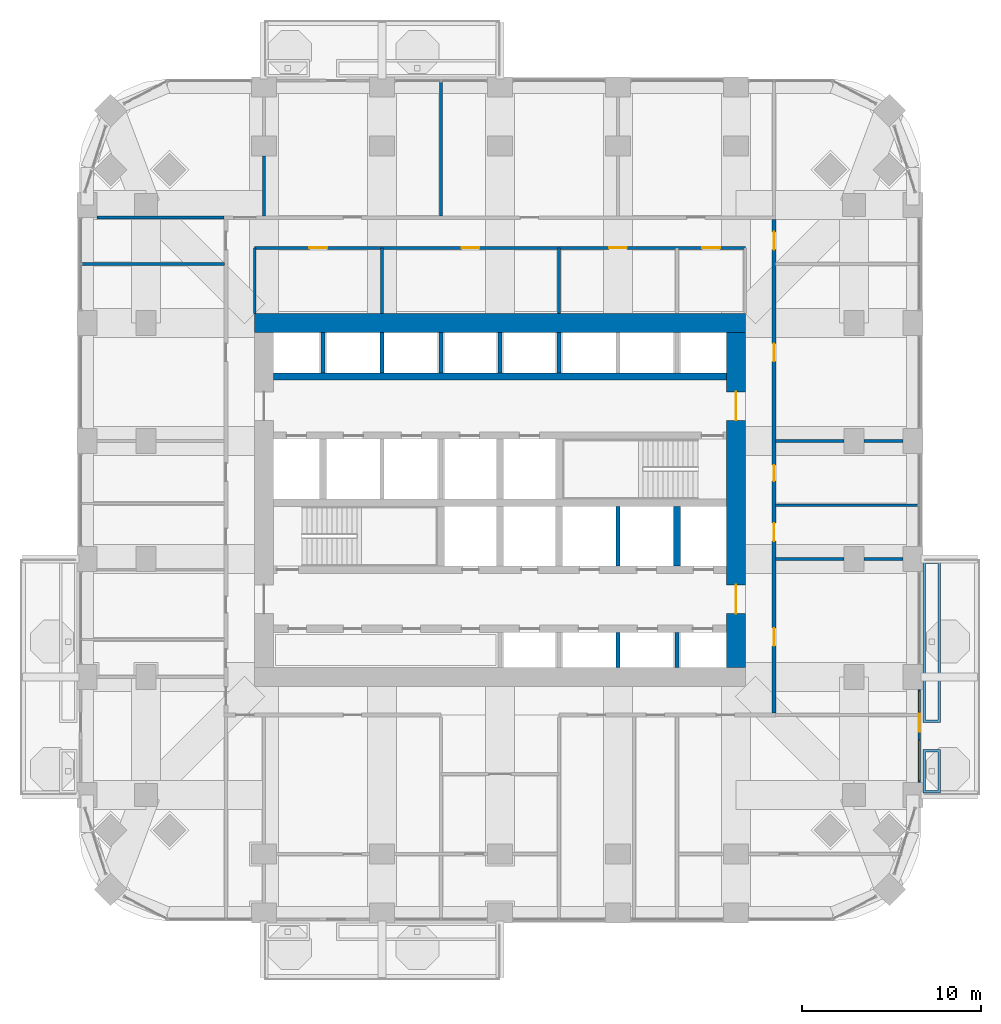
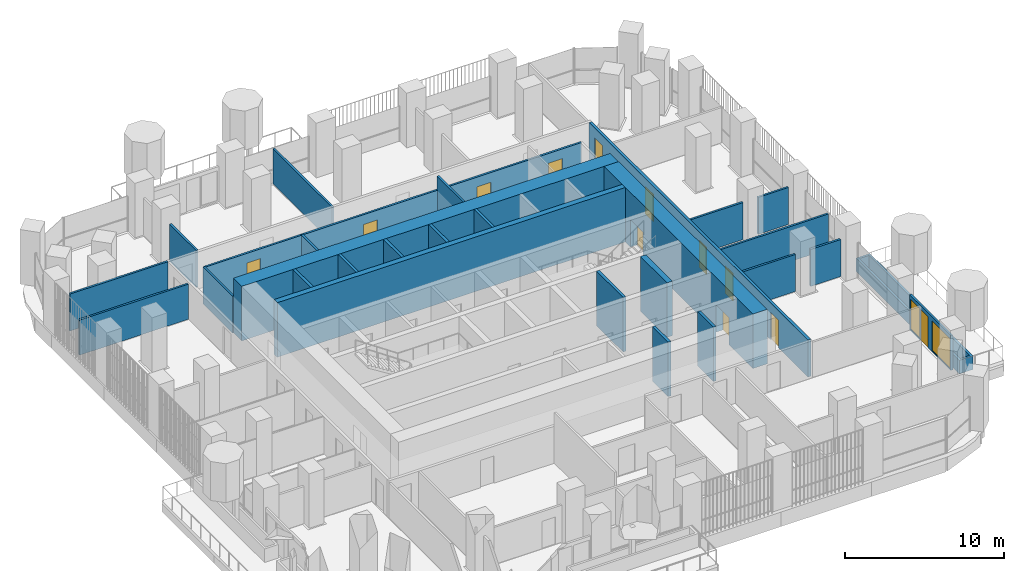
# One storey, part 15 of 21: 29 walls, 12 doors, 2 windows, 14 openings.
"""IFC4 building model written with IfcOpenShell, lengths in metres."""

from ifc_helpers import new_model, si_unit, direction, frame, frame_2d, origin, place, context, subcontext, project, spatial, polyline, rectangle, outline, extrude, material, layer, layer_set, type_object, element, fill, save


model = new_model("IFC4")

# Units and contexts
model_context = context("Model", 3, precision=1e-05, world=origin(), true_north=direction((0.0, 1.0)))
body_context = subcontext(model_context, "Body", "Model", "MODEL_VIEW")
ifc_project = project(units=[si_unit("LENGTHUNIT", "METRE"), si_unit("AREAUNIT", "SQUARE_METRE"), si_unit("VOLUMEUNIT", "CUBIC_METRE"), si_unit("PLANEANGLEUNIT", "RADIAN"), si_unit("MASSUNIT", "GRAM", prefix="KILO")], contexts=[model_context])

# Site, building, storey
site_placement = place(None, origin())
site = spatial("IfcSite", under=ifc_project, at=site_placement, CompositionType="ELEMENT")
building_placement = place(site_placement, origin())
building = spatial("IfcBuilding", under=site, at=building_placement, Name="Cobogo Forest Laboratory Tower", CompositionType="ELEMENT")
storey_placement = place(building_placement, frame((0.0, 0.0, 132.60009765625)))
storey = spatial("IfcBuildingStorey", under=building, at=storey_placement, Name="L30", CompositionType="ELEMENT", Elevation=132.60009765625)

# Walls
ifc_material_1 = material(Name="Concrete HA-50 (C50/60)", Category="concrete")
ifc_layer_1 = layer(ifc_material_1, 0.39990234375)
ifc_layer_set_1 = layer_set([ifc_layer_1], Name="CI400 core inner wall 400")
wall_type_1 = type_object("IfcWallType", Name="CI400 core inner wall 400", PredefinedType="SHEAR", material=ifc_layer_set_1)
wall_1_placement = place(storey_placement, frame((13.72509765625, 30.0, 0.0), z_axis=(0.0, 0.0, 1.0), x_axis=(1.0, 0.0, 0.0)))
element("IfcWall", 1, at=wall_1_placement, inside=storey, type_object=wall_type_1, Name="Core wall CI-30.0 L30", PredefinedType="SHEAR", context=body_context, shape_type="SweptSolid", body=[
    extrude(rectangle(XDim=25.349853515625, YDim=0.39990234375, at=frame_2d((12.6748046875, 0.0))), origin(), (0.0, 0.0, 1.0), 4.199951171875),
])
wall_2_placement = place(storey_placement, frame((36.300048828125, 19.39990234375, 0.0), z_axis=(0.0, 0.0, 1.0), x_axis=(0.0, 1.0, 0.0)))
element("IfcWall", 2, at=wall_2_placement, inside=storey, type_object=wall_type_1, Name="Core wall CX-36.3 L30", PredefinedType="SHEAR", context=body_context, shape_type="SweptSolid", body=[
    extrude(rectangle(XDim=3.35009765625, YDim=0.39990234375, at=frame_2d((1.675048828125, 0.0))), origin(), (0.0, 0.0, 1.0), 4.199951171875),
])

# Wall, openings, doors
ifc_layer_2 = layer(ifc_material_1, 1.050048828125)
ifc_layer_set_2 = layer_set([ifc_layer_2], Name="CW1050 core outer wall 1050")
wall_type_2 = type_object("IfcWallType", Name="CW1050 core outer wall 1050", PredefinedType="SHEAR", material=ifc_layer_set_2)
wall_3_placement = place(storey_placement, frame((39.60009765625, 13.72509765625, 0.0), z_axis=(0.0, 0.0, 1.0), x_axis=(0.0, 1.0, 0.0)))
wall_3 = element("IfcWall", 3, at=wall_3_placement, inside=storey, type_object=wall_type_2, Name="Core wall CO-E L30", PredefinedType="SHEAR", context=body_context, shape_type="SweptSolid", body=[
    extrude(rectangle(XDim=18.75, YDim=1.050048828125, at=frame_2d((9.375, 0.0))), origin(), (0.0, 0.0, 1.0), 4.199951171875),
])
opening_1_placement = place(wall_3_placement, frame((3.02490234375, 0.0, 0.0)))
opening_1 = element("IfcOpeningElement", 4, at=opening_1_placement, cuts=wall_3, Name="Opening L30-D22", PredefinedType="OPENING", context=body_context, shape_type="SweptSolid", body=[
    extrude(rectangle(XDim=1.60009765625, YDim=2.10009765625, at=frame_2d((0.800048828125, 1.050048828125))), frame((0.0, 0.534912109375, 0.0), z_axis=(0.0, -1.0, 0.0), x_axis=(1.0, 0.0, 0.0)), (0.0, 0.0, 1.0), 1.070068359375),
])
opening_2_placement = place(wall_3_placement, frame((13.824951171875, 0.0, 0.0)))
opening_2 = element("IfcOpeningElement", 5, at=opening_2_placement, cuts=wall_3, Name="Opening L30-D32", PredefinedType="OPENING", context=body_context, shape_type="SweptSolid", body=[
    extrude(rectangle(XDim=1.60009765625, YDim=2.10009765625, at=frame_2d((0.800048828125, 1.050048828125))), frame((0.0, 0.534912109375, 0.0), z_axis=(0.0, -1.0, 0.0), x_axis=(1.0, 0.0, 0.0)), (0.0, 0.0, 1.0), 1.070068359375),
])
ifc_material_2 = material(Name="Steel fire door", Category="steel")
door_type_1 = type_object("IfcDoorType", Name="DS2 protected lobby door pair 1600 EI2 60", OperationType="DOUBLE_DOOR_DOUBLE_SWING", PredefinedType="DOOR", material=ifc_material_2)
door_1_placement = place(opening_1_placement, origin())
door_1 = element("IfcDoor", 6, at=door_1_placement, inside=storey, type_object=door_type_1, Name="Door L30-CO-E-S", OperationType="DOUBLE_DOOR_DOUBLE_SWING", OverallHeight=2.10009765625, OverallWidth=1.60009765625, PredefinedType="DOOR", context=body_context, shape_type="SweptSolid", body=[
    extrude(rectangle(XDim=1.60009765625, YDim=2.10009765625, at=frame_2d((0.800048828125, 1.050048828125))), frame((0.0, 0.02490234375, 0.0), z_axis=(0.0, -1.0, 0.0), x_axis=(1.0, 0.0, 0.0)), (0.0, 0.0, 1.0), 0.050048828125),
])
fill(opening_1, door_1)
door_2_placement = place(opening_2_placement, origin())
door_2 = element("IfcDoor", 7, at=door_2_placement, inside=storey, type_object=door_type_1, Name="Door L30-CO-E-N", OperationType="DOUBLE_DOOR_DOUBLE_SWING", OverallHeight=2.10009765625, OverallWidth=1.60009765625, PredefinedType="DOOR", context=body_context, shape_type="SweptSolid", body=[
    extrude(rectangle(XDim=1.60009765625, YDim=2.10009765625, at=frame_2d((0.800048828125, 1.050048828125))), frame((0.0, 0.02490234375, 0.0), z_axis=(0.0, -1.0, 0.0), x_axis=(1.0, 0.0, 0.0)), (0.0, 0.0, 1.0), 0.050048828125),
])
fill(opening_2, door_2)

# Wall
wall_4_placement = place(storey_placement, frame((40.125, 33.0, 0.0), z_axis=(0.0, 0.0, 1.0), x_axis=(-1.0, 0.0, 0.0)))
element("IfcWall", 8, at=wall_4_placement, inside=storey, type_object=wall_type_2, Name="Core wall CO-N L30", PredefinedType="SHEAR", context=body_context, shape_type="SweptSolid", body=[
    extrude(rectangle(XDim=27.449951171875, YDim=1.050048828125, at=frame_2d((13.72509765625, 0.0))), origin(), (0.0, 0.0, 1.0), 4.199951171875),
])

# Wall, openings, door, windows
ifc_material_3 = material(Name="Aluminium framed glazed screen", Category="aluminium")
ifc_layer_3 = layer(ifc_material_3, 0.14990234375)
ifc_layer_set_3 = layer_set([ifc_layer_3], Name="GS1 glazed door screen 150")
wall_type_3 = type_object("IfcWallType", Name="GS1 glazed door screen 150", PredefinedType="SOLIDWALL", material=ifc_layer_set_3)
wall_5_placement = place(storey_placement, frame((49.85009765625, 7.300048828125, 0.0), z_axis=(0.0, 0.0, 1.0), x_axis=(0.0, 1.0, 0.0)))
wall_5 = element("IfcWall", 9, at=wall_5_placement, inside=storey, type_object=wall_type_3, Name="Door screen BAL-E1 L30", PredefinedType="SOLIDWALL", context=body_context, shape_type="SweptSolid", body=[
    extrude(rectangle(XDim=5.199951171875, YDim=0.14990234375, at=frame_2d((2.60009765625, 0.0))), origin(), (0.0, 0.0, 1.0), 2.699951171875),
])
opening_3_placement = place(wall_5_placement, frame((2.85009765625, 0.0, 0.0)))
opening_3 = element("IfcOpeningElement", 10, at=opening_3_placement, cuts=wall_5, Name="Opening L30-D07", PredefinedType="OPENING", context=body_context, shape_type="SweptSolid", body=[
    extrude(rectangle(XDim=1.0, YDim=2.39990234375, at=frame_2d((0.5, 1.199951171875))), frame((0.0, 0.0849609375, 0.0), z_axis=(0.0, -1.0, 0.0), x_axis=(1.0, 0.0, 0.0)), (0.0, 0.0, 1.0), 0.169921875),
])
opening_4_placement = place(wall_5_placement, frame((0.10009765625, 0.0, 0.10009765625)))
opening_4 = element("IfcOpeningElement", 11, at=opening_4_placement, cuts=wall_5, Name="Opening L30-W04", PredefinedType="OPENING", context=body_context, shape_type="SweptSolid", body=[
    extrude(rectangle(XDim=2.25, YDim=2.300048828125, at=frame_2d((1.125, 1.14990234375))), frame((0.0, 0.0849609375, 0.0), z_axis=(0.0, -1.0, 0.0), x_axis=(1.0, 0.0, 0.0)), (0.0, 0.0, 1.0), 0.169921875),
])
opening_5_placement = place(wall_5_placement, frame((3.949951171875, 0.0, 0.10009765625)))
opening_5 = element("IfcOpeningElement", 12, at=opening_5_placement, cuts=wall_5, Name="Opening L30-W06", PredefinedType="OPENING", context=body_context, shape_type="SweptSolid", body=[
    extrude(rectangle(XDim=1.14990234375, YDim=2.300048828125, at=frame_2d((0.574951171875, 1.14990234375))), frame((0.0, 0.0849609375, 0.0), z_axis=(0.0, -1.0, 0.0), x_axis=(1.0, 0.0, 0.0)), (0.0, 0.0, 1.0), 0.169921875),
])
ifc_material_4 = material(Name="Aluminium glazed door", Category="aluminium")
door_type_2 = type_object("IfcDoorType", Name="DB1 balcony door 1000 glazed", OperationType="SINGLE_SWING_LEFT", PredefinedType="DOOR", material=ifc_material_4)
door_3_placement = place(opening_3_placement, origin())
door_3 = element("IfcDoor", 13, at=door_3_placement, inside=storey, type_object=door_type_2, Name="Door L30-BAL-E1", OperationType="SINGLE_SWING_RIGHT", OverallHeight=2.39990234375, OverallWidth=1.0, PredefinedType="DOOR", context=body_context, shape_type="SweptSolid", body=[
    extrude(rectangle(XDim=1.0, YDim=2.39990234375, at=frame_2d((0.5, 1.199951171875))), frame((0.0, 0.02490234375, 0.0), z_axis=(0.0, -1.0, 0.0), x_axis=(1.0, 0.0, 0.0)), (0.0, 0.0, 1.0), 0.050048828125),
])
fill(opening_3, door_3)
ifc_material_5 = material(Name="Aluminium framed glazing", Category="aluminium")
window_type_1 = type_object("IfcWindowType", Name="WG15 fixed glazed light 2250x2300", PartitioningType="SINGLE_PANEL", PredefinedType="WINDOW", material=ifc_material_5)
window_1_placement = place(opening_4_placement, origin())
window_1 = element("IfcWindow", 14, at=window_1_placement, inside=storey, type_object=window_type_1, Name="Window L30-BAL-E1-1", OverallHeight=2.300048828125, OverallWidth=2.25, PartitioningType="SINGLE_PANEL", PredefinedType="WINDOW", context=body_context, shape_type="SweptSolid", body=[
    extrude(rectangle(XDim=2.25, YDim=2.300048828125, at=frame_2d((1.125, 1.14990234375))), frame((0.0, 0.030029296875, 0.0), z_axis=(0.0, -1.0, 0.0), x_axis=(1.0, 0.0, 0.0)), (0.0, 0.0, 1.0), 0.06005859375),
])
fill(opening_4, window_1)
window_type_2 = type_object("IfcWindowType", Name="WG16 fixed glazed light 1150x2300", PartitioningType="SINGLE_PANEL", PredefinedType="WINDOW", material=ifc_material_5)
window_2_placement = place(opening_5_placement, origin())
window_2 = element("IfcWindow", 15, at=window_2_placement, inside=storey, type_object=window_type_2, Name="Window L30-BAL-E1-2", OverallHeight=2.300048828125, OverallWidth=1.14990234375, PartitioningType="SINGLE_PANEL", PredefinedType="WINDOW", context=body_context, shape_type="SweptSolid", body=[
    extrude(rectangle(XDim=1.14990234375, YDim=2.300048828125, at=frame_2d((0.574951171875, 1.14990234375))), frame((0.0, 0.030029296875, 0.0), z_axis=(0.0, -1.0, 0.0), x_axis=(1.0, 0.0, 0.0)), (0.0, 0.0, 1.0), 0.06005859375),
])
fill(opening_5, window_2)

# Wall, openings, doors
ifc_material_6 = material(Name="Gypsum board on steel studs", Category="steel")
ifc_layer_4 = layer(ifc_material_6, 0.14990234375)
ifc_layer_set_4 = layer_set([ifc_layer_4], Name="PT1 laboratory partition 150")
wall_type_4 = type_object("IfcWallType", Name="PT1 laboratory partition 150", PredefinedType="PARTITIONING", material=ifc_layer_set_4)
wall_6_placement = place(storey_placement, frame((12.675048828125, 37.199951171875, 0.0), z_axis=(0.0, 0.0, 1.0), x_axis=(1.0, 0.0, 0.0)))
wall_6 = element("IfcWall", 16, at=wall_6_placement, inside=storey, type_object=wall_type_4, Name="Partition CSTRIP-N L30", PredefinedType="PARTITIONING", context=body_context, shape_type="SweptSolid", body=[
    extrude(rectangle(XDim=27.449951171875, YDim=0.14990234375, at=frame_2d((13.72509765625, 0.0))), origin(), (0.0, 0.0, 1.0), 2.849853515625),
])
opening_6_placement = place(wall_6_placement, frame((3.0625, 0.0, 0.0)))
opening_6 = element("IfcOpeningElement", 17, at=opening_6_placement, cuts=wall_6, Name="Opening L30-D35", PredefinedType="OPENING", context=body_context, shape_type="SweptSolid", body=[
    extrude(rectangle(XDim=1.0, YDim=2.10009765625, at=frame_2d((0.5, 1.050048828125))), frame((0.0, 0.0849609375, 0.0), z_axis=(0.0, -1.0, 0.0), x_axis=(1.0, 0.0, 0.0)), (0.0, 0.0, 1.0), 0.169921875),
])
opening_7_placement = place(wall_6_placement, frame((11.574951171875, 0.0, 0.0)))
opening_7 = element("IfcOpeningElement", 18, at=opening_7_placement, cuts=wall_6, Name="Opening L30-D36", PredefinedType="OPENING", context=body_context, shape_type="SweptSolid", body=[
    extrude(rectangle(XDim=1.0, YDim=2.10009765625, at=frame_2d((0.5, 1.050048828125))), frame((0.0, 0.0849609375, 0.0), z_axis=(0.0, -1.0, 0.0), x_axis=(1.0, 0.0, 0.0)), (0.0, 0.0, 1.0), 0.169921875),
])
opening_8_placement = place(wall_6_placement, frame((19.824951171875, 0.0, 0.0)))
opening_8 = element("IfcOpeningElement", 19, at=opening_8_placement, cuts=wall_6, Name="Opening L30-D37", PredefinedType="OPENING", context=body_context, shape_type="SweptSolid", body=[
    extrude(rectangle(XDim=1.0, YDim=2.10009765625, at=frame_2d((0.5, 1.050048828125))), frame((0.0, 0.0849609375, 0.0), z_axis=(0.0, -1.0, 0.0), x_axis=(1.0, 0.0, 0.0)), (0.0, 0.0, 1.0), 0.169921875),
])
opening_9_placement = place(wall_6_placement, frame((25.03759765625, 0.0, 0.0)))
opening_9 = element("IfcOpeningElement", 20, at=opening_9_placement, cuts=wall_6, Name="Opening L30-D38", PredefinedType="OPENING", context=body_context, shape_type="SweptSolid", body=[
    extrude(rectangle(XDim=1.0, YDim=2.10009765625, at=frame_2d((0.5, 1.050048828125))), frame((0.0, 0.0849609375, 0.0), z_axis=(0.0, -1.0, 0.0), x_axis=(1.0, 0.0, 0.0)), (0.0, 0.0, 1.0), 0.169921875),
])
ifc_material_7 = material(Name="Timber fire door", Category="wood")
door_type_3 = type_object("IfcDoorType", Name="FD2 fire door 1000 EI2 30", OperationType="SINGLE_SWING_LEFT", PredefinedType="DOOR", material=ifc_material_7)
door_4_placement = place(opening_6_placement, origin())
door_4 = element("IfcDoor", 21, at=door_4_placement, inside=storey, type_object=door_type_3, Name="Door L30-CSN1", OperationType="SINGLE_SWING_LEFT", OverallHeight=2.10009765625, OverallWidth=1.0, PredefinedType="DOOR", context=body_context, shape_type="SweptSolid", body=[
    extrude(rectangle(XDim=1.0, YDim=2.10009765625, at=frame_2d((0.5, 1.050048828125))), frame((0.0, 0.02490234375, 0.0), z_axis=(0.0, -1.0, 0.0), x_axis=(1.0, 0.0, 0.0)), (0.0, 0.0, 1.0), 0.050048828125),
])
fill(opening_6, door_4)
door_5_placement = place(opening_7_placement, origin())
door_5 = element("IfcDoor", 22, at=door_5_placement, inside=storey, type_object=door_type_3, Name="Door L30-CSN2", OperationType="SINGLE_SWING_LEFT", OverallHeight=2.10009765625, OverallWidth=1.0, PredefinedType="DOOR", context=body_context, shape_type="SweptSolid", body=[
    extrude(rectangle(XDim=1.0, YDim=2.10009765625, at=frame_2d((0.5, 1.050048828125))), frame((0.0, 0.02490234375, 0.0), z_axis=(0.0, -1.0, 0.0), x_axis=(1.0, 0.0, 0.0)), (0.0, 0.0, 1.0), 0.050048828125),
])
fill(opening_7, door_5)
door_6_placement = place(opening_8_placement, origin())
door_6 = element("IfcDoor", 23, at=door_6_placement, inside=storey, type_object=door_type_3, Name="Door L30-CSN3", OperationType="SINGLE_SWING_RIGHT", OverallHeight=2.10009765625, OverallWidth=1.0, PredefinedType="DOOR", context=body_context, shape_type="SweptSolid", body=[
    extrude(rectangle(XDim=1.0, YDim=2.10009765625, at=frame_2d((0.5, 1.050048828125))), frame((0.0, 0.02490234375, 0.0), z_axis=(0.0, -1.0, 0.0), x_axis=(1.0, 0.0, 0.0)), (0.0, 0.0, 1.0), 0.050048828125),
])
fill(opening_8, door_6)
door_7_placement = place(opening_9_placement, origin())
door_7 = element("IfcDoor", 24, at=door_7_placement, inside=storey, type_object=door_type_3, Name="Door L30-CSN4", OperationType="SINGLE_SWING_RIGHT", OverallHeight=2.10009765625, OverallWidth=1.0, PredefinedType="DOOR", context=body_context, shape_type="SweptSolid", body=[
    extrude(rectangle(XDim=1.0, YDim=2.10009765625, at=frame_2d((0.5, 1.050048828125))), frame((0.0, 0.02490234375, 0.0), z_axis=(0.0, -1.0, 0.0), x_axis=(1.0, 0.0, 0.0)), (0.0, 0.0, 1.0), 0.050048828125),
])
fill(opening_9, door_7)

# Walls
for number, where, z_axis, x_axis, name in (
    (25, (12.675048828125, 33.52490234375, 0.0), (0.0, 0.0, 1.0), (0.0, 1.0, 0.0), "Partition CSTRIP-NW L30"),
    (26, (19.800048828125, 33.52490234375, 0.0), (0.0, 0.0, 1.0), (0.0, 1.0, 0.0), "Partition CSTRIP-N19.8 L30"),
):
    element("IfcWall", number, at=place(storey_placement, frame(where, z_axis=z_axis, x_axis=x_axis)), inside=storey, type_object=wall_type_4, Name=name, PredefinedType="PARTITIONING", context=body_context, shape_type="SweptSolid", body=[
        extrude(rectangle(XDim=3.675048828125, YDim=0.14990234375, at=frame_2d((1.83740234375, 0.0))), origin(), (0.0, 0.0, 1.0), 2.849853515625),
    ])
wall_7_placement = place(storey_placement, frame((29.699951171875, 33.52490234375, 0.0), z_axis=(0.0, 0.0, 1.0), x_axis=(0.0, 1.0, 0.0)))
element("IfcWall", 27, at=wall_7_placement, inside=storey, type_object=wall_type_4, Name="Partition CSTRIP-N29.7 L30", PredefinedType="PARTITIONING", context=body_context, shape_type="SweptSolid", body=[
    extrude(rectangle(XDim=3.675048828125, YDim=0.14990234375, at=frame_2d((1.83740234375, 0.0))), origin(), (0.0, 0.0, 1.0), 3.89990234375),
])
wall_8_placement = place(storey_placement, frame((3.85009765625, 38.89990234375, 0.0), z_axis=(0.0, 0.0, 1.0), x_axis=(1.0, 0.0, 0.0)))
element("IfcWall", 28, at=wall_8_placement, inside=storey, type_object=wall_type_4, Name="Partition PW-NW L30", PredefinedType="PARTITIONING", context=body_context, shape_type="SweptSolid", body=[
    extrude(rectangle(XDim=7.125, YDim=0.14990234375, at=frame_2d((3.5625, 0.0))), origin(), (0.0, 0.0, 1.0), 2.849853515625),
])
wall_9_placement = place(storey_placement, frame((49.77001953125, 22.800048828125, 0.0), z_axis=(0.0, 0.0, 1.0), x_axis=(-1.0, 0.0, 0.0)))
element("IfcWall", 29, at=wall_9_placement, inside=storey, type_object=wall_type_4, Name="Partition SVC-E1-1 L30", PredefinedType="PARTITIONING", context=body_context, shape_type="SweptSolid", body=[
    extrude(rectangle(XDim=7.945068359375, YDim=0.14990234375, at=frame_2d((3.97265625, 0.0))), origin(), (0.0, 0.0, 1.0), 2.699951171875),
])
wall_10_placement = place(storey_placement, frame((48.949951171875, 19.800048828125, 0.0), z_axis=(0.0, 0.0, 1.0), x_axis=(-1.0, 0.0, 0.0)))
element("IfcWall", 30, at=wall_10_placement, inside=storey, type_object=wall_type_4, Name="Partition CUT-E19.8-1 L30", PredefinedType="PARTITIONING", context=body_context, shape_type="SweptSolid", body=[
    extrude(rectangle(XDim=2.199951171875, YDim=0.14990234375, at=frame_2d((1.10009765625, 0.0))), origin(), (0.0, 0.0, 1.0), 2.849853515625),
])
wall_11_placement = place(storey_placement, frame((45.64990234375, 19.800048828125, 0.0), z_axis=(0.0, 0.0, 1.0), x_axis=(-1.0, 0.0, 0.0)))
element("IfcWall", 31, at=wall_11_placement, inside=storey, type_object=wall_type_4, Name="Partition CUT-E19.8-2 L30", PredefinedType="PARTITIONING", context=body_context, shape_type="SweptSolid", body=[
    extrude(rectangle(XDim=3.824951171875, YDim=0.14990234375, at=frame_2d((1.91259765625, 0.0))), origin(), (0.0, 0.0, 1.0), 2.849853515625),
])
wall_12_placement = place(storey_placement, frame((48.949951171875, 26.39990234375, 0.0), z_axis=(0.0, 0.0, 1.0), x_axis=(-1.0, 0.0, 0.0)))
element("IfcWall", 32, at=wall_12_placement, inside=storey, type_object=wall_type_4, Name="Partition CUT-E26.4-1 L30", PredefinedType="PARTITIONING", context=body_context, shape_type="SweptSolid", body=[
    extrude(rectangle(XDim=2.199951171875, YDim=0.14990234375, at=frame_2d((1.10009765625, 0.0))), origin(), (0.0, 0.0, 1.0), 2.849853515625),
])
wall_13_placement = place(storey_placement, frame((45.64990234375, 26.39990234375, 0.0), z_axis=(0.0, 0.0, 1.0), x_axis=(-1.0, 0.0, 0.0)))
element("IfcWall", 33, at=wall_13_placement, inside=storey, type_object=wall_type_4, Name="Partition CUT-E26.4-2 L30", PredefinedType="PARTITIONING", context=body_context, shape_type="SweptSolid", body=[
    extrude(rectangle(XDim=3.824951171875, YDim=0.14990234375, at=frame_2d((1.91259765625, 0.0))), origin(), (0.0, 0.0, 1.0), 2.849853515625),
])
wall_14_placement = place(storey_placement, frame((13.199951171875, 42.35009765625, 0.0), z_axis=(0.0, 0.0, 1.0), x_axis=(0.0, -1.0, 0.0)))
element("IfcWall", 34, at=wall_14_placement, inside=storey, type_object=wall_type_4, Name="Partition CUT-N13.2-2 L30", PredefinedType="PARTITIONING", context=body_context, shape_type="SweptSolid", body=[
    extrude(rectangle(XDim=3.35009765625, YDim=0.14990234375, at=frame_2d((1.675048828125, 0.0))), origin(), (0.0, 0.0, 1.0), 2.849853515625),
])
wall_15_placement = place(storey_placement, frame((23.10009765625, 46.469970703125, 0.0), z_axis=(0.0, 0.0, 1.0), x_axis=(0.0, -1.0, 0.0)))
element("IfcWall", 35, at=wall_15_placement, inside=storey, type_object=wall_type_4, Name="Partition CUT-N23.1-1 L30", PredefinedType="PARTITIONING", context=body_context, shape_type="SweptSolid", body=[
    extrude(rectangle(XDim=7.469970703125, YDim=0.14990234375, at=frame_2d((3.73486328125, 0.0))), origin(), (0.0, 0.0, 1.0), 2.699951171875),
])
wall_16_placement = place(storey_placement, frame((3.030029296875, 36.300048828125, 0.0), z_axis=(0.0, 0.0, 1.0), x_axis=(1.0, 0.0, 0.0)))
element("IfcWall", 36, at=wall_16_placement, inside=storey, type_object=wall_type_4, Name="Partition CUT-W36.3-1 L30", PredefinedType="PARTITIONING", context=body_context, shape_type="SweptSolid", body=[
    extrude(rectangle(XDim=7.945068359375, YDim=0.14990234375, at=frame_2d((3.97265625, 0.0))), origin(), (0.0, 0.0, 1.0), 2.699951171875),
])

# Wall, openings, doors
ifc_layer_5 = layer(ifc_material_6, 0.199951171875)
ifc_layer_set_5 = layer_set([ifc_layer_5], Name="PT2 fire-rated corridor partition 200")
wall_type_5 = type_object("IfcWallType", Name="PT2 fire-rated corridor partition 200", PredefinedType="PARTITIONING", material=ifc_layer_set_5)
wall_17_placement = place(storey_placement, frame((41.72509765625, 11.175048828125, 0.0), z_axis=(0.0, 0.0, 1.0), x_axis=(0.0, 1.0, 0.0)))
wall_17 = element("IfcWall", 37, at=wall_17_placement, inside=storey, type_object=wall_type_5, Name="Partition CORR-E L30", PredefinedType="PARTITIONING", context=body_context, shape_type="SweptSolid", body=[
    extrude(rectangle(XDim=27.625, YDim=0.199951171875, at=frame_2d((13.8125, 0.0))), origin(), (0.0, 0.0, 1.0), 2.849853515625),
])
opening_10_placement = place(wall_17_placement, frame((3.762451171875, 0.0, 0.0)))
opening_10 = element("IfcOpeningElement", 38, at=opening_10_placement, cuts=wall_17, Name="Opening L30-D15", PredefinedType="OPENING", context=body_context, shape_type="SweptSolid", body=[
    extrude(rectangle(XDim=1.0, YDim=2.10009765625, at=frame_2d((0.5, 1.050048828125))), frame((0.0, 0.10986328125, 0.0), z_axis=(0.0, -1.0, 0.0), x_axis=(1.0, 0.0, 0.0)), (0.0, 0.0, 1.0), 0.219970703125),
])
opening_11_placement = place(wall_17_placement, frame((9.625, 0.0, 0.0)))
opening_11 = element("IfcOpeningElement", 39, at=opening_11_placement, cuts=wall_17, Name="Opening L30-D27", PredefinedType="OPENING", context=body_context, shape_type="SweptSolid", body=[
    extrude(rectangle(XDim=1.0, YDim=2.10009765625, at=frame_2d((0.5, 1.050048828125))), frame((0.0, 0.10986328125, 0.0), z_axis=(0.0, -1.0, 0.0), x_axis=(1.0, 0.0, 0.0)), (0.0, 0.0, 1.0), 0.219970703125),
])
opening_12_placement = place(wall_17_placement, frame((12.97509765625, 0.0, 0.0)))
opening_12 = element("IfcOpeningElement", 40, at=opening_12_placement, cuts=wall_17, Name="Opening L30-D28", PredefinedType="OPENING", context=body_context, shape_type="SweptSolid", body=[
    extrude(rectangle(XDim=0.89990234375, YDim=2.10009765625, at=frame_2d((0.449951171875, 1.050048828125))), frame((0.0, 0.10986328125, 0.0), z_axis=(0.0, -1.0, 0.0), x_axis=(1.0, 0.0, 0.0)), (0.0, 0.0, 1.0), 0.219970703125),
])
opening_13_placement = place(wall_17_placement, frame((19.675048828125, 0.0, 0.0)))
opening_13 = element("IfcOpeningElement", 41, at=opening_13_placement, cuts=wall_17, Name="Opening L30-D34", PredefinedType="OPENING", context=body_context, shape_type="SweptSolid", body=[
    extrude(rectangle(XDim=1.0, YDim=2.10009765625, at=frame_2d((0.5, 1.050048828125))), frame((0.0, 0.10986328125, 0.0), z_axis=(0.0, -1.0, 0.0), x_axis=(1.0, 0.0, 0.0)), (0.0, 0.0, 1.0), 0.219970703125),
])
opening_14_placement = place(wall_17_placement, frame((25.925048828125, 0.0, 0.0)))
opening_14 = element("IfcOpeningElement", 42, at=opening_14_placement, cuts=wall_17, Name="Opening L30-D40", PredefinedType="OPENING", context=body_context, shape_type="SweptSolid", body=[
    extrude(rectangle(XDim=1.0, YDim=2.10009765625, at=frame_2d((0.5, 1.050048828125))), frame((0.0, 0.10986328125, 0.0), z_axis=(0.0, -1.0, 0.0), x_axis=(1.0, 0.0, 0.0)), (0.0, 0.0, 1.0), 0.219970703125),
])
door_type_4 = type_object("IfcDoorType", Name="FD1 fire door 1000 EI2 60", OperationType="SINGLE_SWING_LEFT", PredefinedType="DOOR", material=ifc_material_2)
door_8_placement = place(opening_11_placement, origin())
door_8 = element("IfcDoor", 43, at=door_8_placement, inside=storey, type_object=door_type_4, Name="Door L30-ELEC", OperationType="SINGLE_SWING_LEFT", OverallHeight=2.10009765625, OverallWidth=1.0, PredefinedType="DOOR", context=body_context, shape_type="SweptSolid", body=[
    extrude(rectangle(XDim=1.0, YDim=2.10009765625, at=frame_2d((0.5, 1.050048828125))), frame((0.0, 0.02490234375, 0.0), z_axis=(0.0, -1.0, 0.0), x_axis=(1.0, 0.0, 0.0)), (0.0, 0.0, 1.0), 0.050048828125),
])
fill(opening_11, door_8)
door_9_placement = place(opening_10_placement, origin())
door_9 = element("IfcDoor", 44, at=door_9_placement, inside=storey, type_object=door_type_3, Name="Door L30-E1", OperationType="SINGLE_SWING_LEFT", OverallHeight=2.10009765625, OverallWidth=1.0, PredefinedType="DOOR", context=body_context, shape_type="SweptSolid", body=[
    extrude(rectangle(XDim=1.0, YDim=2.10009765625, at=frame_2d((0.5, 1.050048828125))), frame((0.0, 0.02490234375, 0.0), z_axis=(0.0, -1.0, 0.0), x_axis=(1.0, 0.0, 0.0)), (0.0, 0.0, 1.0), 0.050048828125),
])
fill(opening_10, door_9)
door_10_placement = place(opening_13_placement, origin())
door_10 = element("IfcDoor", 45, at=door_10_placement, inside=storey, type_object=door_type_3, Name="Door L30-E3", OperationType="SINGLE_SWING_RIGHT", OverallHeight=2.10009765625, OverallWidth=1.0, PredefinedType="DOOR", context=body_context, shape_type="SweptSolid", body=[
    extrude(rectangle(XDim=1.0, YDim=2.10009765625, at=frame_2d((0.5, 1.050048828125))), frame((0.0, 0.02490234375, 0.0), z_axis=(0.0, -1.0, 0.0), x_axis=(1.0, 0.0, 0.0)), (0.0, 0.0, 1.0), 0.050048828125),
])
fill(opening_13, door_10)
door_11_placement = place(opening_14_placement, origin())
door_11 = element("IfcDoor", 46, at=door_11_placement, inside=storey, type_object=door_type_3, Name="Door L30-E4", OperationType="SINGLE_SWING_RIGHT", OverallHeight=2.10009765625, OverallWidth=1.0, PredefinedType="DOOR", context=body_context, shape_type="SweptSolid", body=[
    extrude(rectangle(XDim=1.0, YDim=2.10009765625, at=frame_2d((0.5, 1.050048828125))), frame((0.0, 0.02490234375, 0.0), z_axis=(0.0, -1.0, 0.0), x_axis=(1.0, 0.0, 0.0)), (0.0, 0.0, 1.0), 0.050048828125),
])
fill(opening_14, door_11)
door_type_5 = type_object("IfcDoorType", Name="FD4 riser access door 900 EI2 60", OperationType="SINGLE_SWING_LEFT", PredefinedType="DOOR", material=ifc_material_2)
door_12_placement = place(opening_12_placement, origin())
door_12 = element("IfcDoor", 47, at=door_12_placement, inside=storey, type_object=door_type_5, Name="Door L30-COMMS", OperationType="SINGLE_SWING_LEFT", OverallHeight=2.10009765625, OverallWidth=0.89990234375, PredefinedType="DOOR", context=body_context, shape_type="SweptSolid", body=[
    extrude(rectangle(XDim=0.89990234375, YDim=2.10009765625, at=frame_2d((0.449951171875, 1.050048828125))), frame((0.0, 0.02490234375, 0.0), z_axis=(0.0, -1.0, 0.0), x_axis=(1.0, 0.0, 0.0)), (0.0, 0.0, 1.0), 0.050048828125),
])
fill(opening_12, door_12)

# Walls
ifc_material_8 = material(Name="Concrete HA-40 (C40/50)", Category="concrete")
ifc_layer_6 = layer(ifc_material_8, 0.14990234375)
ifc_layer_set_6 = layer_set([ifc_layer_6], Name="Planter box 1000x1050")
wall_type_6 = type_object("IfcWallType", Name="Planter box 1000x1050", PredefinedType="USERDEFINED", material=ifc_layer_set_6)
wall_18_placement = place(storey_placement, origin())
element("IfcWall", 48, at=wall_18_placement, inside=storey, type_object=wall_type_6, Name="Planter BAL-E1-1 L30", ObjectType="PLANTER", PredefinedType="USERDEFINED", context=body_context, shape_type="SweptSolid", body=[
    extrude(outline(polyline([(50.050048828125, 6.699951171875), (51.050048828125, 6.699951171875), (51.050048828125, 9.14990234375), (50.050048828125, 9.14990234375), (50.050048828125, 6.699951171875)]), holes=[polyline([(50.199951171875, 6.85009765625), (50.89990234375, 6.85009765625), (50.89990234375, 9.0), (50.199951171875, 9.0), (50.199951171875, 6.85009765625)])]), origin(), (0.0, 0.0, 1.0), 1.0498046875),
])
wall_19_placement = place(storey_placement, origin())
element("IfcWall", 49, at=wall_19_placement, inside=storey, type_object=wall_type_6, Name="Planter BAL-E1-2 L30", ObjectType="PLANTER", PredefinedType="USERDEFINED", context=body_context, shape_type="SweptSolid", body=[
    extrude(outline(polyline([(50.050048828125, 10.64990234375), (51.050048828125, 10.64990234375), (51.050048828125, 19.699951171875), (50.050048828125, 19.699951171875), (50.050048828125, 10.64990234375)]), holes=[polyline([(50.199951171875, 10.800048828125), (50.89990234375, 10.800048828125), (50.89990234375, 19.550048828125), (50.199951171875, 19.550048828125), (50.199951171875, 10.800048828125)])]), origin(), (0.0, 0.0, 1.0), 1.0498046875),
])
ifc_material_9 = material(Name="Concrete block", Category="concrete")
ifc_layer_7 = layer(ifc_material_9, 0.199951171875)
ifc_layer_set_7 = layer_set([ifc_layer_7], Name="SW200 lift shaft separator 200")
wall_type_7 = type_object("IfcWallType", Name="SW200 lift shaft separator 200", PredefinedType="PARTITIONING", material=ifc_layer_set_7)
for number, where, z_axis, x_axis, name in (
    (50, (16.5, 30.199951171875, 0.0), (0.0, 0.0, 1.0), (0.0, 1.0, 0.0), "Core wall SEP-N1 L30"),
    (51, (19.800048828125, 30.199951171875, 0.0), (0.0, 0.0, 1.0), (0.0, 1.0, 0.0), "Core wall SEP-N2 L30"),
    (52, (23.10009765625, 30.199951171875, 0.0), (0.0, 0.0, 1.0), (0.0, 1.0, 0.0), "Core wall SEP-N3 L30"),
    (53, (26.39990234375, 30.199951171875, 0.0), (0.0, 0.0, 1.0), (0.0, 1.0, 0.0), "Core wall SEP-N4 L30"),
    (54, (29.699951171875, 30.199951171875, 0.0), (0.0, 0.0, 1.0), (0.0, 1.0, 0.0), "Core wall SEP-N5 L30"),
):
    element("IfcWall", number, at=place(storey_placement, frame(where, z_axis=z_axis, x_axis=x_axis)), inside=storey, type_object=wall_type_7, Name=name, PredefinedType="PARTITIONING", context=body_context, shape_type="SweptSolid", body=[
        extrude(rectangle(XDim=2.275146484375, YDim=0.199951171875, at=frame_2d((1.1376953125, 0.0))), origin(), (0.0, 0.0, 1.0), 4.199951171875),
    ])
for number, where, z_axis, x_axis, name in (
    (55, (33.0, 13.72509765625, 0.0), (0.0, 0.0, 1.0), (0.0, 1.0, 0.0), "Core wall SEP-S6 L30"),
    (56, (36.300048828125, 13.72509765625, 0.0), (0.0, 0.0, 1.0), (0.0, 1.0, 0.0), "Core wall SEP-S7 L30"),
):
    element("IfcWall", number, at=place(storey_placement, frame(where, z_axis=z_axis, x_axis=x_axis)), inside=storey, type_object=wall_type_7, Name=name, PredefinedType="PARTITIONING", context=body_context, shape_type="SweptSolid", body=[
        extrude(rectangle(XDim=1.974853515625, YDim=0.199951171875, at=frame_2d((0.9873046875, 0.0))), origin(), (0.0, 0.0, 1.0), 4.199951171875),
    ])
wall_20_placement = place(storey_placement, frame((33.0, 19.39990234375, 0.0), z_axis=(0.0, 0.0, 1.0), x_axis=(0.0, 1.0, 0.0)))
element("IfcWall", 57, at=wall_20_placement, inside=storey, type_object=wall_type_7, Name="Core wall SEP-M33.0 L30", PredefinedType="PARTITIONING", context=body_context, shape_type="SweptSolid", body=[
    extrude(rectangle(XDim=3.35009765625, YDim=0.199951171875, at=frame_2d((1.675048828125, 0.0))), origin(), (0.0, 0.0, 1.0), 4.199951171875),
])

save(model, "model.ifc")
